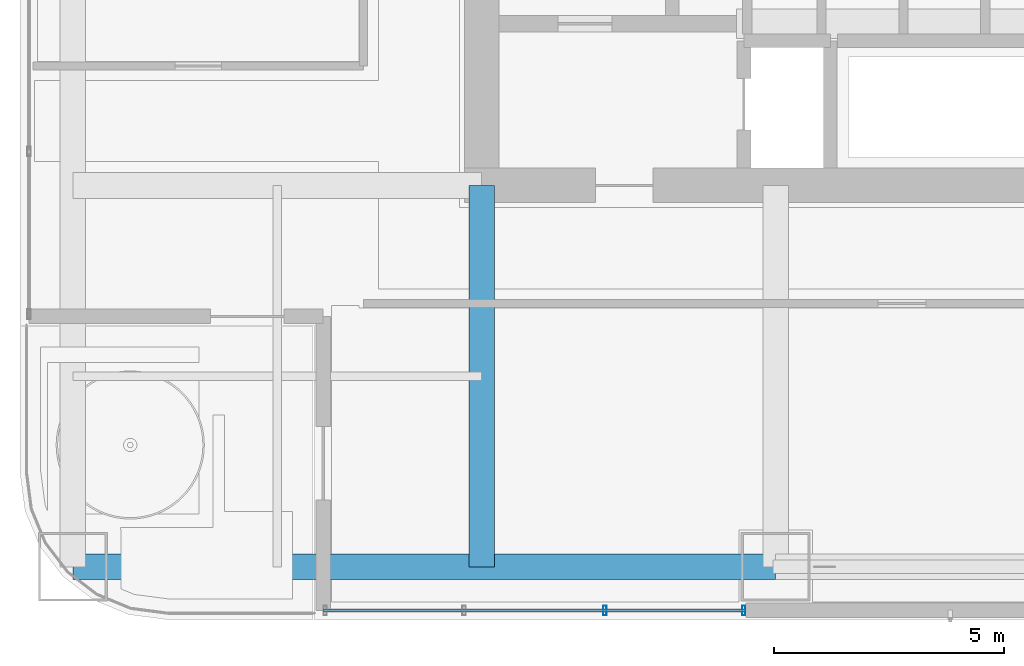
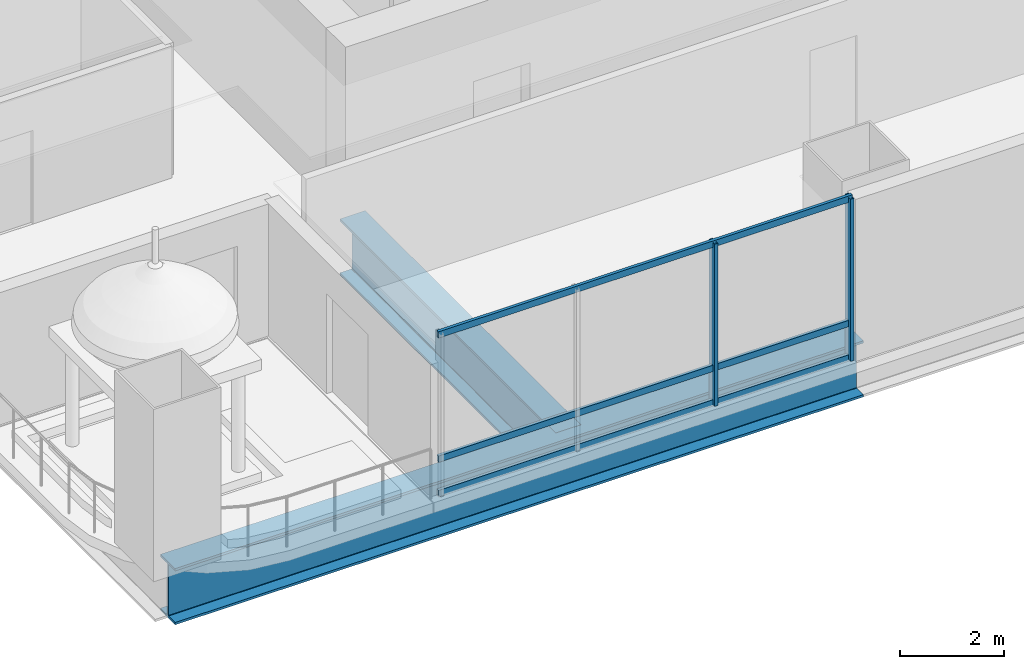
# One storey, part 3 of 37: 5 members, 2 beams, 1 element without a shape of its own.
"""IFC4 building model written with IfcOpenShell, lengths in metres."""

from ifc_helpers import new_model, si_unit, direction, frame, origin, origin_2d, place, context, subcontext, project, spatial, hollow_rectangle, i_section, extrude, material, material_profile, profile_set, type_object, element, aggregate, save


model = new_model("IFC4")

# Units and contexts
model_context = context("Model", 3, precision=1e-05, world=origin(), true_north=direction((0.0, 1.0)))
body_context = subcontext(model_context, "Body", "Model", "MODEL_VIEW")
ifc_project = project(units=[si_unit("LENGTHUNIT", "METRE"), si_unit("AREAUNIT", "SQUARE_METRE"), si_unit("VOLUMEUNIT", "CUBIC_METRE"), si_unit("PLANEANGLEUNIT", "RADIAN"), si_unit("MASSUNIT", "GRAM", prefix="KILO")], contexts=[model_context])

# Site, building, storey
site_placement = place(None, origin())
site = spatial("IfcSite", under=ifc_project, at=site_placement, CompositionType="ELEMENT")
building_placement = place(site_placement, origin())
building = spatial("IfcBuilding", under=site, at=building_placement, Name="Punatoya Terracotta Tower", CompositionType="ELEMENT")
storey_placement = place(building_placement, frame((0.0, 0.0, 109.199951171875)))
storey = spatial("IfcBuildingStorey", under=building, at=storey_placement, Name="L25", CompositionType="ELEMENT", Elevation=109.199951171875)

# Beams
ifc_material_1 = material(Name="Steel S460", Category="steel")
ifc_material_profile_1 = material_profile(ifc_material_1, i_section(OverallWidth=0.56005859375, OverallDepth=1.320068359375, WebThickness=0.035888671875, FlangeThickness=0.054931640625, FilletRadius=0.01806640625, at=origin_2d()))
ifc_profile_set_1 = profile_set([ifc_material_profile_1], Name="Steel S460")
beam_type = type_object("IfcBeamType", Name="BM-TG-BLK", PredefinedType="BEAM", material=ifc_profile_set_1)
beam_1_placement = place(storey_placement, frame((-19.10009765625, -17.5, -0.89990234375), z_axis=(1.0, 0.0, 0.0), x_axis=(0.0, 1.0, 0.0)))
element("IfcBeam", 1, at=beam_1_placement, inside=storey, type_object=beam_type, Name="BM-L25-RG-S1", PredefinedType="BEAM", context=body_context, shape_type="SweptSolid", body=[
    extrude(i_section(OverallWidth=0.56005859375, OverallDepth=1.320068359375, WebThickness=0.035888671875, FlangeThickness=0.054931640625, FilletRadius=0.01806640625, at=origin_2d()), origin(), (0.0, 0.0, 1.0), 15.300048828125),
])
beam_2_placement = place(storey_placement, frame((-10.199951171875, -17.5, -0.89990234375), z_axis=(0.0, 1.0, 0.0), x_axis=(-1.0, 0.0, 0.0)))
element("IfcBeam", 2, at=beam_2_placement, inside=storey, type_object=beam_type, Name="BM-L25-PR-S1", PredefinedType="BEAM", context=body_context, shape_type="SweptSolid", body=[
    extrude(i_section(OverallWidth=0.56005859375, OverallDepth=1.320068359375, WebThickness=0.035888671875, FlangeThickness=0.054931640625, FilletRadius=0.01806640625, at=origin_2d()), origin(), (0.0, 0.0, 1.0), 8.300048828125),
])

# Curtain wall, members
ifc_material_2 = material(Name="Aluminium 6063-T6 + Double Low-E Glass", Category="aluminium")
curtain_wall_type = type_object("IfcCurtainWallType", Name="CW-M1", PredefinedType="NOTDEFINED", material=ifc_material_2)
curtain_wall_placement = place(storey_placement, origin())
curtain_wall = element("IfcCurtainWall", 3, at=curtain_wall_placement, inside=storey, type_object=curtain_wall_type, Name="L25 Curtain Wall CW-L25-S01-1", PredefinedType="NOTDEFINED")
ifc_material_3 = material(Name="Aluminium 6063-T6", Category="aluminium")
ifc_material_profile_2 = material_profile(ifc_material_3, hollow_rectangle(XDim=0.074951171875, YDim=0.2099609375, WallThickness=0.00439453125, at=origin_2d()))
ifc_profile_set_2 = profile_set([ifc_material_profile_2], Name="Aluminium 6063-T6")
member_type_1 = type_object("IfcMemberType", Name="CW-MUL-M1", PredefinedType="MULLION", material=ifc_profile_set_2)
member_1_placement = place(storey_placement, frame((-7.5166015625, -18.449951171875, 0.0), z_axis=(0.0, 0.0, 1.0), x_axis=(1.0, 0.0, 0.0)))
member_1 = element("IfcMember", 4, at=member_1_placement, type_object=member_type_1, Name="CW-L25-S01-1 Mullion 02", PredefinedType="MULLION", context=body_context, shape_type="SweptSolid", body=[
    extrude(hollow_rectangle(XDim=0.074951171875, YDim=0.2099609375, WallThickness=0.00439453125, at=origin_2d()), origin(), (0.0, 0.0, 1.0), 3.81005859375),
])
member_2_placement = place(storey_placement, frame((-4.4951171875, -18.449951171875, 0.0), z_axis=(0.0, 0.0, 1.0), x_axis=(1.0, 0.0, 0.0)))
member_2 = element("IfcMember", 5, at=member_2_placement, type_object=member_type_1, Name="CW-L25-S01-1 Mullion 03", PredefinedType="MULLION", context=body_context, shape_type="SweptSolid", body=[
    extrude(hollow_rectangle(XDim=0.074951171875, YDim=0.2099609375, WallThickness=0.00439453125, at=origin_2d()), origin(), (0.0, 0.0, 1.0), 3.81005859375),
])
ifc_material_profile_3 = material_profile(ifc_material_3, hollow_rectangle(XDim=0.068115234375, YDim=0.14990234375, WallThickness=0.00390625, at=origin_2d()))
ifc_profile_set_3 = profile_set([ifc_material_profile_3], Name="Aluminium 6063-T6")
member_type_2 = type_object("IfcMemberType", Name="CW-TRN-TYP", PredefinedType="USERDEFINED", material=ifc_profile_set_3)
member_3_placement = place(storey_placement, frame((-13.64990234375, -18.449951171875, 0.0400390625), z_axis=(1.0, 0.0, 0.0), x_axis=(0.0, 1.0, 0.0)))
member_3 = element("IfcMember", 6, at=member_3_placement, type_object=member_type_2, Name="CW-L25-S01-1 Transom 1", ObjectType="TRANSOM", PredefinedType="USERDEFINED", context=body_context, shape_type="SweptSolid", body=[
    extrude(hollow_rectangle(XDim=0.068115234375, YDim=0.14990234375, WallThickness=0.00390625, at=origin_2d()), origin(), (0.0, 0.0, 1.0), 9.199951171875),
])
member_4_placement = place(storey_placement, frame((-13.64990234375, -18.449951171875, 0.85009765625), z_axis=(1.0, 0.0, 0.0), x_axis=(0.0, 1.0, 0.0)))
member_4 = element("IfcMember", 7, at=member_4_placement, type_object=member_type_2, Name="CW-L25-S01-1 Transom 2", ObjectType="TRANSOM", PredefinedType="USERDEFINED", context=body_context, shape_type="SweptSolid", body=[
    extrude(hollow_rectangle(XDim=0.068115234375, YDim=0.14990234375, WallThickness=0.00390625, at=origin_2d()), origin(), (0.0, 0.0, 1.0), 9.199951171875),
])
member_5_placement = place(storey_placement, frame((-13.64990234375, -18.449951171875, 3.77001953125), z_axis=(1.0, 0.0, 0.0), x_axis=(0.0, 1.0, 0.0)))
member_5 = element("IfcMember", 8, at=member_5_placement, type_object=member_type_2, Name="CW-L25-S01-1 Transom 3", ObjectType="TRANSOM", PredefinedType="USERDEFINED", context=body_context, shape_type="SweptSolid", body=[
    extrude(hollow_rectangle(XDim=0.068115234375, YDim=0.14990234375, WallThickness=0.00390625, at=origin_2d()), origin(), (0.0, 0.0, 1.0), 9.199951171875),
])
aggregate(curtain_wall, [member_1, member_2, member_3, member_4, member_5])

save(model, "model.ifc")
